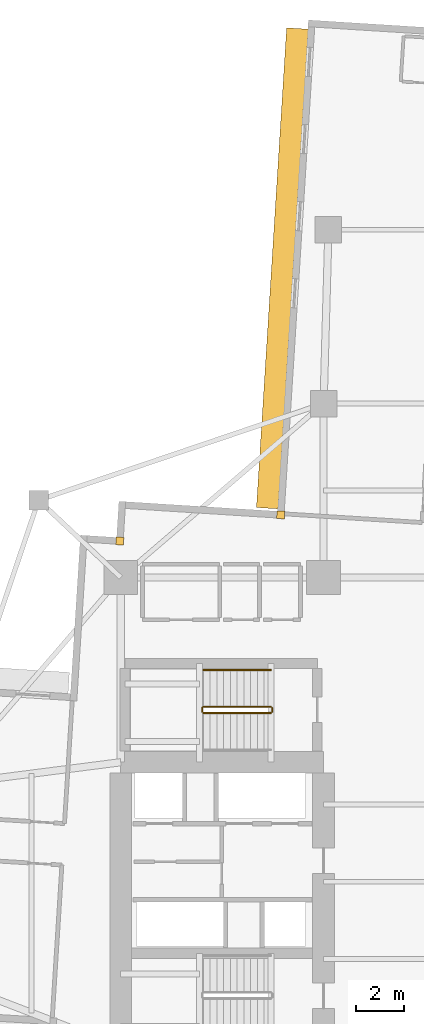
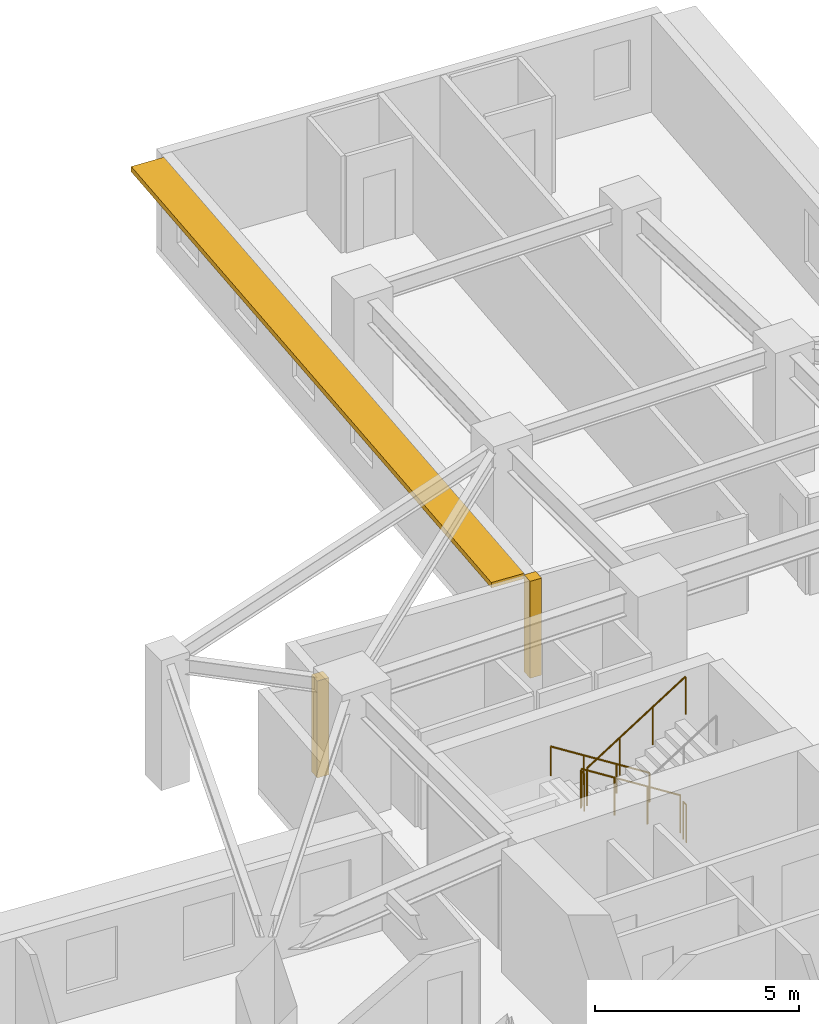
# One storey, part 13 of 14: 5 railings, 2 coverings, 1 shading device.
"""IFC4 building model written with IfcOpenShell, lengths in metres."""

from ifc_helpers import new_model, si_unit, direction, frame, origin, origin_2d, place, context, subcontext, project, spatial, rectangle, circle, extrude, material, layer, layer_set, type_object, element, save


model = new_model("IFC4")

# Units and contexts
model_context = context("Model", 3, precision=1e-05, world=origin(), true_north=direction((0.0, 1.0)))
body_context = subcontext(model_context, "Body", "Model", "MODEL_VIEW")
ifc_project = project(units=[si_unit("LENGTHUNIT", "METRE"), si_unit("AREAUNIT", "SQUARE_METRE"), si_unit("VOLUMEUNIT", "CUBIC_METRE"), si_unit("PLANEANGLEUNIT", "RADIAN"), si_unit("MASSUNIT", "GRAM", prefix="KILO")], contexts=[model_context])

# Site, building, storey
site_placement = place(None, origin())
site = spatial("IfcSite", under=ifc_project, at=site_placement, CompositionType="ELEMENT")
building_placement = place(site_placement, origin())
building = spatial("IfcBuilding", under=site, at=building_placement, Name="Qingluan Cross Belvedere", CompositionType="ELEMENT")
storey_placement = place(building_placement, frame((0.0, 0.0, 79.5)))
storey = spatial("IfcBuildingStorey", under=building, at=storey_placement, Name="L20", CompositionType="ELEMENT", Elevation=79.5)

# Coverings
ifc_material_1 = material(Name="Precast concrete C45", Category="concrete")
ifc_layer_1 = layer(ifc_material_1, 0.1201171875, Name="ConcreteSpandrelCladding_120")
ifc_layer_set_1 = layer_set([ifc_layer_1], Name="Precast concrete C45")
covering_type = type_object("IfcCoveringType", Name="ConcreteSpandrelCladding_120", PredefinedType="CLADDING", material=ifc_layer_set_1)
for number, where, z_axis, x_axis, name in (
    (1, (-12.438720703125, 14.10888671875, 0.0), (0.0, 0.0, 1.0), (0.998026728428, -0.062790519529, 0.0), "Corner closure L20-NW1"),
    (2, (-5.77734375, 15.192626953125, 0.0), (0.0, 0.0, 1.0), (0.998026728428, -0.062790519529, 0.0), "Corner closure L20-NW2"),
):
    element("IfcCovering", number, at=place(storey_placement, frame(where, z_axis=z_axis, x_axis=x_axis)), inside=storey, type_object=covering_type, Name=name, PredefinedType="CLADDING", context=body_context, shape_type="SweptSolid", body=[
        extrude(rectangle(XDim=0.320068359375, YDim=0.320068359375, at=origin_2d()), origin(), (0.0, 0.0, 1.0), 2.909912109375),
    ])

# Shading device
ifc_material_2 = material(Name="Precast concrete C45", Category="concrete")
ifc_layer_2 = layer(ifc_material_2, 0.159912109375, Name="ConcreteSunshadeBand_900")
ifc_layer_set_2 = layer_set([ifc_layer_2], Name="Precast concrete C45")
shading_device_type = type_object("IfcShadingDeviceType", Name="ConcreteSunshadeBand_900", PredefinedType="USERDEFINED", material=ifc_layer_set_2)
shading_device_placement = place(storey_placement, frame((-5.70654296875, 25.3984375, 2.72998046875), z_axis=(0.0, 0.0, 1.0), x_axis=(-0.062786203294, -0.998026999973, 0.0)))
element("IfcShadingDevice", 3, at=shading_device_placement, inside=storey, type_object=shading_device_type, Name="Concrete SUNSHADE L20-NB", ObjectType="SUNSHADE", PredefinedType="USERDEFINED", context=body_context, shape_type="SweptSolid", body=[
    extrude(rectangle(XDim=19.89990234375, YDim=0.89990234375, at=origin_2d()), origin(), (0.0, 0.0, 1.0), 0.159912109375),
])

# Railings
ifc_material_3 = material(Name="Brushed stainless steel tubular handrail", Category="steel")
railing_type_1 = type_object("IfcRailingType", Name="StairPitchHandrail_900", PredefinedType="HANDRAIL", material=ifc_material_3)
railing_1_placement = place(storey_placement, frame((-6.179931640625, 8.77001953125, 0.17724609375)))
element("IfcRailing", 4, at=railing_1_placement, inside=storey, type_object=railing_type_1, Name="L20 ST3 stair handrail 1", PredefinedType="HANDRAIL", context=body_context, shape_type="SweptSolid", body=[
    extrude(circle(Radius=0.02392578125, at=origin_2d()), frame((0.0, 0.0, 0.8759765625), z_axis=(-0.844908973607, 0.0, 0.534910110503), x_axis=(0.0, -1.0, 0.0)), (0.0, 0.0, 1.0), 3.31396484375),
    extrude(circle(Radius=0.02099609375, at=origin_2d()), origin(), (0.0, 0.0, 1.0), 0.851806640625),
    extrude(circle(Radius=0.02099609375, at=origin_2d()), frame((-0.933349609375, 0.0, 0.5908203125)), (0.0, 0.0, 1.0), 0.851806640625),
    extrude(circle(Radius=0.02099609375, at=origin_2d()), frame((-1.86669921875, 0.0, 1.181884765625)), (0.0, 0.0, 1.0), 0.851806640625),
    extrude(circle(Radius=0.02099609375, at=origin_2d()), frame((-2.800048828125, 0.0, 1.772705078125)), (0.0, 0.0, 1.0), 0.851806640625),
])
ifc_material_4 = material(Name="Painted steel stair well guard", Category="steel")
railing_type_2 = type_object("IfcRailingType", Name="StairWellGuard_1150", PredefinedType="BALUSTRADE", material=ifc_material_4)
railing_2_placement = place(storey_placement, frame((-6.179931640625, 7.25, 0.17724609375)))
element("IfcRailing", 5, at=railing_2_placement, inside=storey, type_object=railing_type_2, Name="L20 ST3 stair guard 1", PredefinedType="BALUSTRADE", context=body_context, shape_type="SweptSolid", body=[
    extrude(circle(Radius=0.02392578125, at=origin_2d()), frame((0.0, 0.0, 1.1259765625), z_axis=(-0.844908973607, 0.0, 0.534910110503), x_axis=(0.0, -1.0, 0.0)), (0.0, 0.0, 1.0), 3.31396484375),
    extrude(circle(Radius=0.02099609375, at=origin_2d()), origin(), (0.0, 0.0, 1.0), 1.101806640625),
    extrude(circle(Radius=0.02099609375, at=origin_2d()), frame((-0.933349609375, 0.0, 0.5908203125)), (0.0, 0.0, 1.0), 1.101806640625),
    extrude(circle(Radius=0.02099609375, at=origin_2d()), frame((-1.86669921875, 0.0, 1.181884765625)), (0.0, 0.0, 1.0), 1.101806640625),
    extrude(circle(Radius=0.02099609375, at=origin_2d()), frame((-2.800048828125, 0.0, 1.772705078125)), (0.0, 0.0, 1.0), 1.101806640625),
])
railing_3_placement = place(storey_placement, frame((-9.030029296875, 7.199951171875, 1.949951171875)))
element("IfcRailing", 6, at=railing_3_placement, inside=storey, type_object=railing_type_2, Name="L20 ST3 stair guard 2", PredefinedType="BALUSTRADE", context=body_context, shape_type="SweptSolid", body=[
    extrude(circle(Radius=0.02392578125, at=origin_2d()), frame((0.0, 0.0, 1.1259765625), z_axis=(0.0, -1.0, 0.0), x_axis=(1.0, 0.0, 0.0)), (0.0, 0.0, 1.0), 0.159912109375),
    extrude(circle(Radius=0.02099609375, at=origin_2d()), origin(), (0.0, 0.0, 1.0), 1.101806640625),
    extrude(circle(Radius=0.02099609375, at=origin_2d()), frame((0.0, -0.159912109375, 0.0)), (0.0, 0.0, 1.0), 1.101806640625),
])
railing_4_placement = place(storey_placement, frame((-8.97998046875, 6.989990234375, 2.127197265625)))
element("IfcRailing", 7, at=railing_4_placement, inside=storey, type_object=railing_type_2, Name="L20 ST3 stair guard 3", PredefinedType="BALUSTRADE", context=body_context, shape_type="SweptSolid", body=[
    extrude(circle(Radius=0.02392578125, at=origin_2d()), frame((0.0, 0.0, 1.1259765625), z_axis=(0.844908973607, 0.0, 0.534910110503), x_axis=(0.0, 1.0, 0.0)), (0.0, 0.0, 1.0), 3.31396484375),
    extrude(circle(Radius=0.02099609375, at=origin_2d()), origin(), (0.0, 0.0, 1.0), 1.101806640625),
    extrude(circle(Radius=0.02099609375, at=origin_2d()), frame((0.933349609375, 0.0, 0.5908203125)), (0.0, 0.0, 1.0), 1.101806640625),
    extrude(circle(Radius=0.02099609375, at=origin_2d()), frame((1.86669921875, 0.0, 1.181884765625)), (0.0, 0.0, 1.0), 1.101806640625),
    extrude(circle(Radius=0.02099609375, at=origin_2d()), frame((2.800048828125, 0.0, 1.772705078125)), (0.0, 0.0, 1.0), 1.101806640625),
])
railing_5_placement = place(storey_placement, frame((-6.1298828125, 7.199951171875, 0.0)))
element("IfcRailing", 8, at=railing_5_placement, inside=storey, type_object=railing_type_2, Name="L20 ST3 stair guard 4", PredefinedType="BALUSTRADE", context=body_context, shape_type="SweptSolid", body=[
    extrude(circle(Radius=0.02392578125, at=origin_2d()), frame((0.0, 0.0, 1.1259765625), z_axis=(0.0, -1.0, 0.0), x_axis=(1.0, 0.0, 0.0)), (0.0, 0.0, 1.0), 0.159912109375),
    extrude(circle(Radius=0.02099609375, at=origin_2d()), origin(), (0.0, 0.0, 1.0), 1.101806640625),
    extrude(circle(Radius=0.02099609375, at=origin_2d()), frame((0.0, -0.159912109375, 0.0)), (0.0, 0.0, 1.0), 1.101806640625),
])

save(model, "model.ifc")
